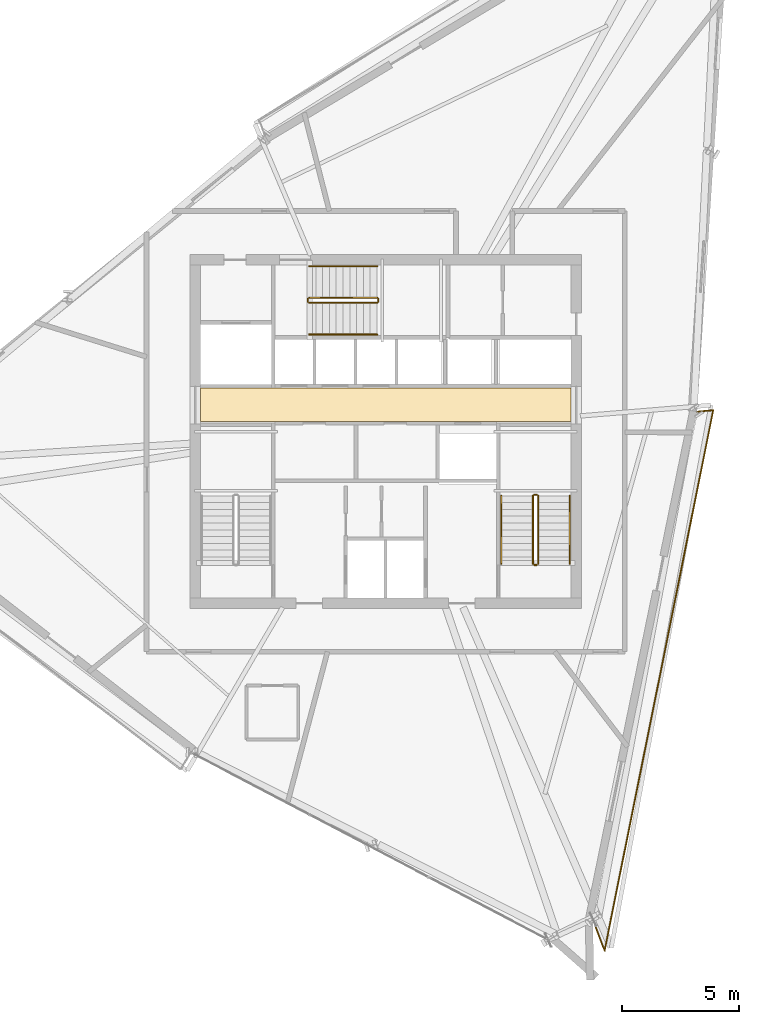
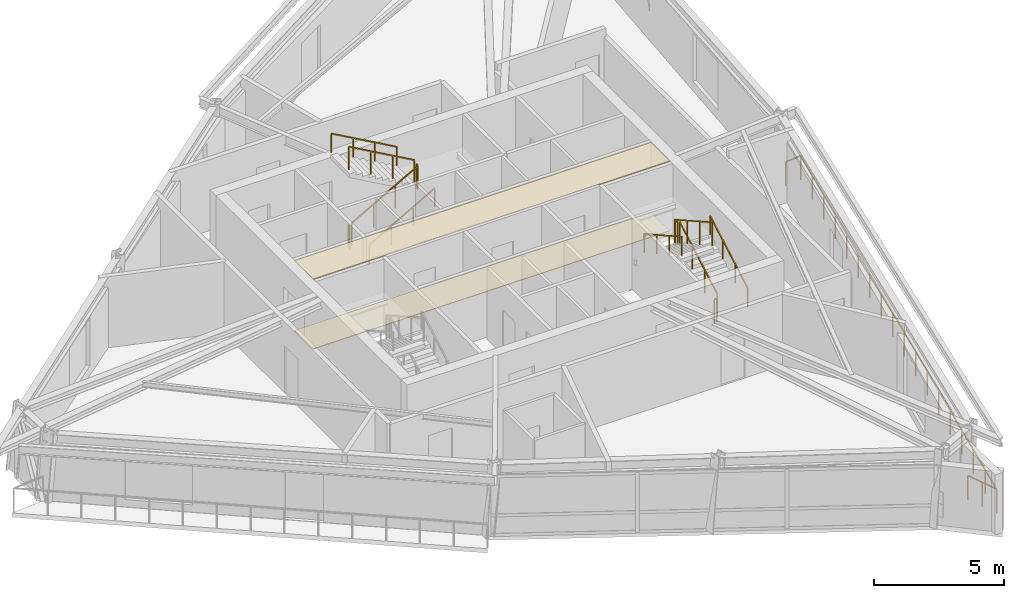
# One storey, part 13 of 14: 13 railings, 2 coverings.
"""IFC4 building model written with IfcOpenShell, lengths in metres."""

from ifc_helpers import new_model, si_unit, direction, frame, origin, origin_2d, place, context, subcontext, project, spatial, polyline, rectangle, outline, extrude, material, layer, layer_set, type_object, element, save


model = new_model("IFC4")

# Units and contexts
model_context = context("Model", 3, precision=1e-05, world=origin(), true_north=direction((0.0, 1.0)))
body_context = subcontext(model_context, "Body", "Model", "MODEL_VIEW")
ifc_project = project(units=[si_unit("LENGTHUNIT", "METRE"), si_unit("AREAUNIT", "SQUARE_METRE"), si_unit("VOLUMEUNIT", "CUBIC_METRE"), si_unit("PLANEANGLEUNIT", "RADIAN"), si_unit("MASSUNIT", "GRAM", prefix="KILO")], contexts=[model_context])

# Site, building, storey
site_placement = place(None, origin())
site = spatial("IfcSite", under=ifc_project, at=site_placement, CompositionType="ELEMENT")
building_placement = place(site_placement, origin())
building = spatial("IfcBuilding", under=site, at=building_placement, Name="Olszyna Solenne Hotel", CompositionType="ELEMENT")
storey_placement = place(building_placement, frame((0.0, 0.0, 274.10009765625)))
storey = spatial("IfcBuildingStorey", under=building, at=storey_placement, Name="L73", CompositionType="ELEMENT", Elevation=274.10009765625)

# Coverings
ifc_material_1 = material(Name="Mineral wool acoustic ceiling")
ifc_layer_1 = layer(ifc_material_1, 0.0400390625, Name="Mineral wool acoustic ceiling")
ifc_layer_set_1 = layer_set([ifc_layer_1], Name="Mineral wool acoustic ceiling")
covering_type_1 = type_object("IfcCoveringType", Name="CL-AC1", PredefinedType="CEILING", material=ifc_layer_set_1)
covering_1_placement = place(storey_placement, frame((0.0, 0.0, 3.260009765625)))
element("IfcCovering", 1, at=covering_1_placement, inside=storey, type_object=covering_type_1, Name="Lift lobby acoustic tile ceiling CL-L73-01", PredefinedType="CEILING", context=body_context, shape_type="SweptSolid", body=[
    extrude(outline(polyline([(30.10009765625, 27.030029296875), (45.89990234375, 27.030029296875), (45.89990234375, 28.4599609375), (30.10009765625, 28.4599609375), (30.10009765625, 27.030029296875)])), origin(), (0.0, 0.0, 1.0), 0.039794921875),
])
ifc_material_2 = material(Name="Ceramic floor tile")
ifc_layer_2 = layer(ifc_material_2, 0.030029296875, Name="Ceramic floor tile")
ifc_layer_set_2 = layer_set([ifc_layer_2], Name="Ceramic floor tile")
covering_type_2 = type_object("IfcCoveringType", Name="FL-TL1", PredefinedType="FLOORING", material=ifc_layer_set_2)
covering_2_placement = place(storey_placement, origin())
element("IfcCovering", 2, at=covering_2_placement, inside=storey, type_object=covering_type_2, Name="Lift lobby stoneware floor finish FLR-L73-01", PredefinedType="FLOORING", context=body_context, shape_type="SweptSolid", body=[
    extrude(outline(polyline([(30.10009765625, 27.030029296875), (45.89990234375, 27.030029296875), (45.89990234375, 28.4599609375), (30.10009765625, 28.4599609375), (30.10009765625, 27.030029296875)])), origin(), (0.0, 0.0, 1.0), 0.02978515625),
])

# Railings
ifc_material_3 = material(Name="Anodised bronze aluminium", Category="aluminium")
railing_type_1 = type_object("IfcRailingType", Name="GR-110", PredefinedType="BALUSTRADE", material=ifc_material_3)
railing_1_placement = place(storey_placement, frame((46.835693359375, 5.7734375, 0.0)))
element("IfcRailing", 3, at=railing_1_placement, inside=storey, type_object=railing_type_1, Name="Loggia balcony balustrade guard GR-L73-LG3", PredefinedType="BALUSTRADE", context=body_context, shape_type="SweptSolid", body=[
    extrude(rectangle(XDim=0.048095703125, YDim=0.048095703125, at=origin_2d()), frame((0.0, 0.0, 1.1259765625), z_axis=(0.352801424752, -0.935698217746, 0.0), x_axis=(0.935698217746, 0.352801424752, 0.0)), (0.0, 0.0, 1.0), 1.418701171875),
    extrude(rectangle(XDim=0.048095703125, YDim=0.048095703125, at=origin_2d()), frame((0.50048828125, -1.327392578125, 1.1259765625), z_axis=(0.197022446928, 0.980398977665, 0.0), x_axis=(-0.980398977665, 0.197022446928, 0.0)), (0.0, 0.0, 1.0), 23.5166015625),
    extrude(rectangle(XDim=0.048095703125, YDim=0.048095703125, at=origin_2d()), frame((5.1337890625, 21.728271484375, 1.1259765625), z_axis=(-0.996107942113, -0.088141747543, 0.0), x_axis=(0.088141747543, -0.996107942113, 0.0)), (0.0, 0.0, 1.0), 0.689697265625),
    extrude(rectangle(XDim=0.0419921875, YDim=0.0419921875, at=origin_2d()), origin(), (0.0, 0.0, 1.0), 1.101806640625),
    extrude(rectangle(XDim=0.0419921875, YDim=0.0419921875, at=origin_2d()), frame((0.250244140625, -0.66357421875, 0.0)), (0.0, 0.0, 1.0), 1.101806640625),
    extrude(rectangle(XDim=0.0419921875, YDim=0.0419921875, at=origin_2d()), frame((0.50048828125, -1.327392578125, 0.0)), (0.0, 0.0, 1.0), 1.101806640625),
    extrude(rectangle(XDim=0.0419921875, YDim=0.0419921875, at=origin_2d()), frame((0.77294921875, 0.02880859375, 0.0)), (0.0, 0.0, 1.0), 1.101806640625),
    extrude(rectangle(XDim=0.0419921875, YDim=0.0419921875, at=origin_2d()), frame((1.045654296875, 1.385009765625, 0.0)), (0.0, 0.0, 1.0), 1.101806640625),
    extrude(rectangle(XDim=0.0419921875, YDim=0.0419921875, at=origin_2d()), frame((1.318115234375, 2.7412109375, 0.0)), (0.0, 0.0, 1.0), 1.101806640625),
    extrude(rectangle(XDim=0.0419921875, YDim=0.0419921875, at=origin_2d()), frame((1.590576171875, 4.097412109375, 0.0)), (0.0, 0.0, 1.0), 1.101806640625),
    extrude(rectangle(XDim=0.0419921875, YDim=0.0419921875, at=origin_2d()), frame((1.86328125, 5.45361328125, 0.0)), (0.0, 0.0, 1.0), 1.101806640625),
    extrude(rectangle(XDim=0.0419921875, YDim=0.0419921875, at=origin_2d()), frame((2.1357421875, 6.809814453125, 0.0)), (0.0, 0.0, 1.0), 1.101806640625),
    extrude(rectangle(XDim=0.0419921875, YDim=0.0419921875, at=origin_2d()), frame((2.408203125, 8.166015625, 0.0)), (0.0, 0.0, 1.0), 1.101806640625),
    extrude(rectangle(XDim=0.0419921875, YDim=0.0419921875, at=origin_2d()), frame((2.680908203125, 9.522216796875, 0.0)), (0.0, 0.0, 1.0), 1.101806640625),
    extrude(rectangle(XDim=0.0419921875, YDim=0.0419921875, at=origin_2d()), frame((2.953369140625, 10.878662109375, 0.0)), (0.0, 0.0, 1.0), 1.101806640625),
    extrude(rectangle(XDim=0.0419921875, YDim=0.0419921875, at=origin_2d()), frame((3.22607421875, 12.23486328125, 0.0)), (0.0, 0.0, 1.0), 1.101806640625),
    extrude(rectangle(XDim=0.0419921875, YDim=0.0419921875, at=origin_2d()), frame((3.49853515625, 13.591064453125, 0.0)), (0.0, 0.0, 1.0), 1.101806640625),
    extrude(rectangle(XDim=0.0419921875, YDim=0.0419921875, at=origin_2d()), frame((3.77099609375, 14.947265625, 0.0)), (0.0, 0.0, 1.0), 1.101806640625),
    extrude(rectangle(XDim=0.0419921875, YDim=0.0419921875, at=origin_2d()), frame((4.043701171875, 16.303466796875, 0.0)), (0.0, 0.0, 1.0), 1.101806640625),
    extrude(rectangle(XDim=0.0419921875, YDim=0.0419921875, at=origin_2d()), frame((4.316162109375, 17.65966796875, 0.0)), (0.0, 0.0, 1.0), 1.101806640625),
    extrude(rectangle(XDim=0.0419921875, YDim=0.0419921875, at=origin_2d()), frame((4.588623046875, 19.015869140625, 0.0)), (0.0, 0.0, 1.0), 1.101806640625),
    extrude(rectangle(XDim=0.0419921875, YDim=0.0419921875, at=origin_2d()), frame((4.861328125, 20.3720703125, 0.0)), (0.0, 0.0, 1.0), 1.101806640625),
    extrude(rectangle(XDim=0.0419921875, YDim=0.0419921875, at=origin_2d()), frame((5.1337890625, 21.728271484375, 0.0)), (0.0, 0.0, 1.0), 1.101806640625),
    extrude(rectangle(XDim=0.0419921875, YDim=0.0419921875, at=origin_2d()), frame((4.44677734375, 21.66748046875, 0.0)), (0.0, 0.0, 1.0), 1.101806640625),
])
railing_2_placement = place(storey_placement, frame((44.5, 20.949951171875, 0.16357421875)))
element("IfcRailing", 4, at=railing_2_placement, inside=storey, type_object=railing_type_1, Name="L73 ST2 stair guard 1", PredefinedType="BALUSTRADE", context=body_context, shape_type="SweptSolid", body=[
    extrude(rectangle(XDim=0.048095703125, YDim=0.048095703125, at=origin_2d()), frame((0.0, 0.0, 1.076171875), z_axis=(0.0, 0.870946286338, 0.49137823142), x_axis=(-1.0, 0.0, 0.0)), (0.0, 0.0, 1.0), 3.329833984375),
    extrude(rectangle(XDim=0.0419921875, YDim=0.0419921875, at=origin_2d()), origin(), (0.0, 0.0, 1.0), 1.052001953125),
    extrude(rectangle(XDim=0.0419921875, YDim=0.0419921875, at=origin_2d()), frame((0.0, 0.966796875, 0.54541015625)), (0.0, 0.0, 1.0), 1.052001953125),
    extrude(rectangle(XDim=0.0419921875, YDim=0.0419921875, at=origin_2d()), frame((0.0, 1.933349609375, 1.0908203125)), (0.0, 0.0, 1.0), 1.052001953125),
    extrude(rectangle(XDim=0.0419921875, YDim=0.0419921875, at=origin_2d()), frame((0.0, 2.900146484375, 1.63623046875)), (0.0, 0.0, 1.0), 1.052001953125),
])
railing_3_placement = place(storey_placement, frame((44.449951171875, 23.89990234375, 1.7998046875)))
element("IfcRailing", 5, at=railing_3_placement, inside=storey, type_object=railing_type_1, Name="L73 ST2 stair guard 2", PredefinedType="BALUSTRADE", context=body_context, shape_type="SweptSolid", body=[
    extrude(rectangle(XDim=0.048095703125, YDim=0.048095703125, at=origin_2d()), frame((0.0, 0.0, 1.076171875), z_axis=(-1.0, 0.0, 0.0), x_axis=(0.0, -1.0, 0.0)), (0.0, 0.0, 1.0), 0.119873046875),
    extrude(rectangle(XDim=0.0419921875, YDim=0.0419921875, at=origin_2d()), origin(), (0.0, 0.0, 1.0), 1.052001953125),
    extrude(rectangle(XDim=0.0419921875, YDim=0.0419921875, at=origin_2d()), frame((-0.119873046875, 0.0, 0.0)), (0.0, 0.0, 1.0), 1.052001953125),
])
railing_4_placement = place(storey_placement, frame((44.280029296875, 23.85009765625, 1.963623046875)))
element("IfcRailing", 6, at=railing_4_placement, inside=storey, type_object=railing_type_1, Name="L73 ST2 stair guard 3", PredefinedType="BALUSTRADE", context=body_context, shape_type="SweptSolid", body=[
    extrude(rectangle(XDim=0.048095703125, YDim=0.048095703125, at=origin_2d()), frame((0.0, 0.0, 1.076171875), z_axis=(0.0, -0.870946286338, 0.49137823142), x_axis=(1.0, 0.0, 0.0)), (0.0, 0.0, 1.0), 3.329833984375),
    extrude(rectangle(XDim=0.0419921875, YDim=0.0419921875, at=origin_2d()), origin(), (0.0, 0.0, 1.0), 1.052001953125),
    extrude(rectangle(XDim=0.0419921875, YDim=0.0419921875, at=origin_2d()), frame((0.0, -0.966796875, 0.54541015625)), (0.0, 0.0, 1.0), 1.052001953125),
    extrude(rectangle(XDim=0.0419921875, YDim=0.0419921875, at=origin_2d()), frame((0.0, -1.933349609375, 1.0908203125)), (0.0, 0.0, 1.0), 1.052001953125),
    extrude(rectangle(XDim=0.0419921875, YDim=0.0419921875, at=origin_2d()), frame((0.0, -2.900146484375, 1.63623046875)), (0.0, 0.0, 1.0), 1.052001953125),
])
railing_5_placement = place(storey_placement, frame((44.449951171875, 20.89990234375, 0.0)))
element("IfcRailing", 7, at=railing_5_placement, inside=storey, type_object=railing_type_1, Name="L73 ST2 stair guard 4", PredefinedType="BALUSTRADE", context=body_context, shape_type="SweptSolid", body=[
    extrude(rectangle(XDim=0.048095703125, YDim=0.048095703125, at=origin_2d()), frame((0.0, 0.0, 1.076171875), z_axis=(-1.0, 0.0, 0.0), x_axis=(0.0, -1.0, 0.0)), (0.0, 0.0, 1.0), 0.119873046875),
    extrude(rectangle(XDim=0.0419921875, YDim=0.0419921875, at=origin_2d()), origin(), (0.0, 0.0, 1.0), 1.052001953125),
    extrude(rectangle(XDim=0.0419921875, YDim=0.0419921875, at=origin_2d()), frame((-0.119873046875, 0.0, 0.0)), (0.0, 0.0, 1.0), 1.052001953125),
])
railing_6_placement = place(storey_placement, frame((34.72998046875, 32.080078125, 0.16357421875)))
element("IfcRailing", 8, at=railing_6_placement, inside=storey, type_object=railing_type_1, Name="L73 ST3 stair guard 1", PredefinedType="BALUSTRADE", context=body_context, shape_type="SweptSolid", body=[
    extrude(rectangle(XDim=0.048095703125, YDim=0.048095703125, at=origin_2d()), frame((0.0, 0.0, 1.076171875), z_axis=(0.870928581787, 0.0, 0.491409610636), x_axis=(0.0, 1.0, 0.0)), (0.0, 0.0, 1.0), 3.32958984375),
    extrude(rectangle(XDim=0.0419921875, YDim=0.0419921875, at=origin_2d()), origin(), (0.0, 0.0, 1.0), 1.052001953125),
    extrude(rectangle(XDim=0.0419921875, YDim=0.0419921875, at=origin_2d()), frame((0.966552734375, 0.0, 0.54541015625)), (0.0, 0.0, 1.0), 1.052001953125),
    extrude(rectangle(XDim=0.0419921875, YDim=0.0419921875, at=origin_2d()), frame((1.933349609375, 0.0, 1.0908203125)), (0.0, 0.0, 1.0), 1.052001953125),
    extrude(rectangle(XDim=0.0419921875, YDim=0.0419921875, at=origin_2d()), frame((2.89990234375, 0.0, 1.63623046875)), (0.0, 0.0, 1.0), 1.052001953125),
])
railing_7_placement = place(storey_placement, frame((37.679931640625, 32.1298828125, 1.7998046875)))
element("IfcRailing", 9, at=railing_7_placement, inside=storey, type_object=railing_type_1, Name="L73 ST3 stair guard 2", PredefinedType="BALUSTRADE", context=body_context, shape_type="SweptSolid", body=[
    extrude(rectangle(XDim=0.048095703125, YDim=0.048095703125, at=origin_2d()), frame((0.0, 0.0, 1.076171875), z_axis=(0.0, 1.0, 0.0), x_axis=(-1.0, 0.0, 0.0)), (0.0, 0.0, 1.0), 0.1201171875),
    extrude(rectangle(XDim=0.0419921875, YDim=0.0419921875, at=origin_2d()), origin(), (0.0, 0.0, 1.0), 1.052001953125),
    extrude(rectangle(XDim=0.0419921875, YDim=0.0419921875, at=origin_2d()), frame((0.0, 0.1201171875, 0.0)), (0.0, 0.0, 1.0), 1.052001953125),
])
railing_8_placement = place(storey_placement, frame((37.6298828125, 32.300048828125, 1.963623046875)))
element("IfcRailing", 10, at=railing_8_placement, inside=storey, type_object=railing_type_1, Name="L73 ST3 stair guard 3", PredefinedType="BALUSTRADE", context=body_context, shape_type="SweptSolid", body=[
    extrude(rectangle(XDim=0.048095703125, YDim=0.048095703125, at=origin_2d()), frame((0.0, 0.0, 1.076171875), z_axis=(-0.870928581787, 0.0, 0.491409610636), x_axis=(0.0, -1.0, 0.0)), (0.0, 0.0, 1.0), 3.32958984375),
    extrude(rectangle(XDim=0.0419921875, YDim=0.0419921875, at=origin_2d()), origin(), (0.0, 0.0, 1.0), 1.052001953125),
    extrude(rectangle(XDim=0.0419921875, YDim=0.0419921875, at=origin_2d()), frame((-0.966552734375, 0.0, 0.54541015625)), (0.0, 0.0, 1.0), 1.052001953125),
    extrude(rectangle(XDim=0.0419921875, YDim=0.0419921875, at=origin_2d()), frame((-1.933349609375, 0.0, 1.0908203125)), (0.0, 0.0, 1.0), 1.052001953125),
    extrude(rectangle(XDim=0.0419921875, YDim=0.0419921875, at=origin_2d()), frame((-2.89990234375, 0.0, 1.63623046875)), (0.0, 0.0, 1.0), 1.052001953125),
])
railing_9_placement = place(storey_placement, frame((34.679931640625, 32.1298828125, 0.0)))
element("IfcRailing", 11, at=railing_9_placement, inside=storey, type_object=railing_type_1, Name="L73 ST3 stair guard 4", PredefinedType="BALUSTRADE", context=body_context, shape_type="SweptSolid", body=[
    extrude(rectangle(XDim=0.048095703125, YDim=0.048095703125, at=origin_2d()), frame((0.0, 0.0, 1.076171875), z_axis=(0.0, 1.0, 0.0), x_axis=(-1.0, 0.0, 0.0)), (0.0, 0.0, 1.0), 0.1201171875),
    extrude(rectangle(XDim=0.0419921875, YDim=0.0419921875, at=origin_2d()), origin(), (0.0, 0.0, 1.0), 1.052001953125),
    extrude(rectangle(XDim=0.0419921875, YDim=0.0419921875, at=origin_2d()), frame((0.0, 0.1201171875, 0.0)), (0.0, 0.0, 1.0), 1.052001953125),
])
ifc_material_4 = material(Name="Steel S355J2", Category="steel")
railing_type_2 = type_object("IfcRailingType", Name="HR-090", PredefinedType="HANDRAIL", material=ifc_material_4)
railing_10_placement = place(storey_placement, frame((45.85009765625, 20.949951171875, 0.16357421875)))
element("IfcRailing", 12, at=railing_10_placement, inside=storey, type_object=railing_type_2, Name="L73 ST2 stair handrail 1", PredefinedType="HANDRAIL", context=body_context, shape_type="SweptSolid", body=[
    extrude(rectangle(XDim=0.048095703125, YDim=0.048095703125, at=origin_2d()), frame((0.0, 0.0, 0.8759765625), z_axis=(0.0, 0.870946286338, 0.49137823142), x_axis=(-1.0, 0.0, 0.0)), (0.0, 0.0, 1.0), 3.329833984375),
    extrude(rectangle(XDim=0.0419921875, YDim=0.0419921875, at=origin_2d()), origin(), (0.0, 0.0, 1.0), 0.851806640625),
    extrude(rectangle(XDim=0.0419921875, YDim=0.0419921875, at=origin_2d()), frame((0.0, 0.966796875, 0.54541015625)), (0.0, 0.0, 1.0), 0.851806640625),
    extrude(rectangle(XDim=0.0419921875, YDim=0.0419921875, at=origin_2d()), frame((0.0, 1.933349609375, 1.0908203125)), (0.0, 0.0, 1.0), 0.851806640625),
    extrude(rectangle(XDim=0.0419921875, YDim=0.0419921875, at=origin_2d()), frame((0.0, 2.900146484375, 1.63623046875)), (0.0, 0.0, 1.0), 0.851806640625),
])
railing_11_placement = place(storey_placement, frame((42.929931640625, 23.85009765625, 1.963623046875)))
element("IfcRailing", 13, at=railing_11_placement, inside=storey, type_object=railing_type_2, Name="L73 ST2 stair handrail 2", PredefinedType="HANDRAIL", context=body_context, shape_type="SweptSolid", body=[
    extrude(rectangle(XDim=0.048095703125, YDim=0.048095703125, at=origin_2d()), frame((0.0, 0.0, 0.8759765625), z_axis=(0.0, -0.870946286338, 0.49137823142), x_axis=(1.0, 0.0, 0.0)), (0.0, 0.0, 1.0), 3.329833984375),
    extrude(rectangle(XDim=0.0419921875, YDim=0.0419921875, at=origin_2d()), origin(), (0.0, 0.0, 1.0), 0.851806640625),
    extrude(rectangle(XDim=0.0419921875, YDim=0.0419921875, at=origin_2d()), frame((0.0, -0.966796875, 0.54541015625)), (0.0, 0.0, 1.0), 0.851806640625),
    extrude(rectangle(XDim=0.0419921875, YDim=0.0419921875, at=origin_2d()), frame((0.0, -1.933349609375, 1.0908203125)), (0.0, 0.0, 1.0), 0.851806640625),
    extrude(rectangle(XDim=0.0419921875, YDim=0.0419921875, at=origin_2d()), frame((0.0, -2.900146484375, 1.63623046875)), (0.0, 0.0, 1.0), 0.851806640625),
])
railing_12_placement = place(storey_placement, frame((34.72998046875, 30.72998046875, 0.16357421875)))
element("IfcRailing", 14, at=railing_12_placement, inside=storey, type_object=railing_type_2, Name="L73 ST3 stair handrail 1", PredefinedType="HANDRAIL", context=body_context, shape_type="SweptSolid", body=[
    extrude(rectangle(XDim=0.048095703125, YDim=0.048095703125, at=origin_2d()), frame((0.0, 0.0, 0.8759765625), z_axis=(0.870928581787, 0.0, 0.491409610636), x_axis=(0.0, 1.0, 0.0)), (0.0, 0.0, 1.0), 3.32958984375),
    extrude(rectangle(XDim=0.0419921875, YDim=0.0419921875, at=origin_2d()), origin(), (0.0, 0.0, 1.0), 0.851806640625),
    extrude(rectangle(XDim=0.0419921875, YDim=0.0419921875, at=origin_2d()), frame((0.966552734375, 0.0, 0.54541015625)), (0.0, 0.0, 1.0), 0.851806640625),
    extrude(rectangle(XDim=0.0419921875, YDim=0.0419921875, at=origin_2d()), frame((1.933349609375, 0.0, 1.0908203125)), (0.0, 0.0, 1.0), 0.851806640625),
    extrude(rectangle(XDim=0.0419921875, YDim=0.0419921875, at=origin_2d()), frame((2.89990234375, 0.0, 1.63623046875)), (0.0, 0.0, 1.0), 0.851806640625),
])
railing_13_placement = place(storey_placement, frame((37.6298828125, 33.64990234375, 1.963623046875)))
element("IfcRailing", 15, at=railing_13_placement, inside=storey, type_object=railing_type_2, Name="L73 ST3 stair handrail 2", PredefinedType="HANDRAIL", context=body_context, shape_type="SweptSolid", body=[
    extrude(rectangle(XDim=0.048095703125, YDim=0.048095703125, at=origin_2d()), frame((0.0, 0.0, 0.8759765625), z_axis=(-0.870928581787, 0.0, 0.491409610636), x_axis=(0.0, -1.0, 0.0)), (0.0, 0.0, 1.0), 3.32958984375),
    extrude(rectangle(XDim=0.0419921875, YDim=0.0419921875, at=origin_2d()), origin(), (0.0, 0.0, 1.0), 0.851806640625),
    extrude(rectangle(XDim=0.0419921875, YDim=0.0419921875, at=origin_2d()), frame((-0.966552734375, 0.0, 0.54541015625)), (0.0, 0.0, 1.0), 0.851806640625),
    extrude(rectangle(XDim=0.0419921875, YDim=0.0419921875, at=origin_2d()), frame((-1.933349609375, 0.0, 1.0908203125)), (0.0, 0.0, 1.0), 0.851806640625),
    extrude(rectangle(XDim=0.0419921875, YDim=0.0419921875, at=origin_2d()), frame((-2.89990234375, 0.0, 1.63623046875)), (0.0, 0.0, 1.0), 0.851806640625),
])

save(model, "model.ifc")
